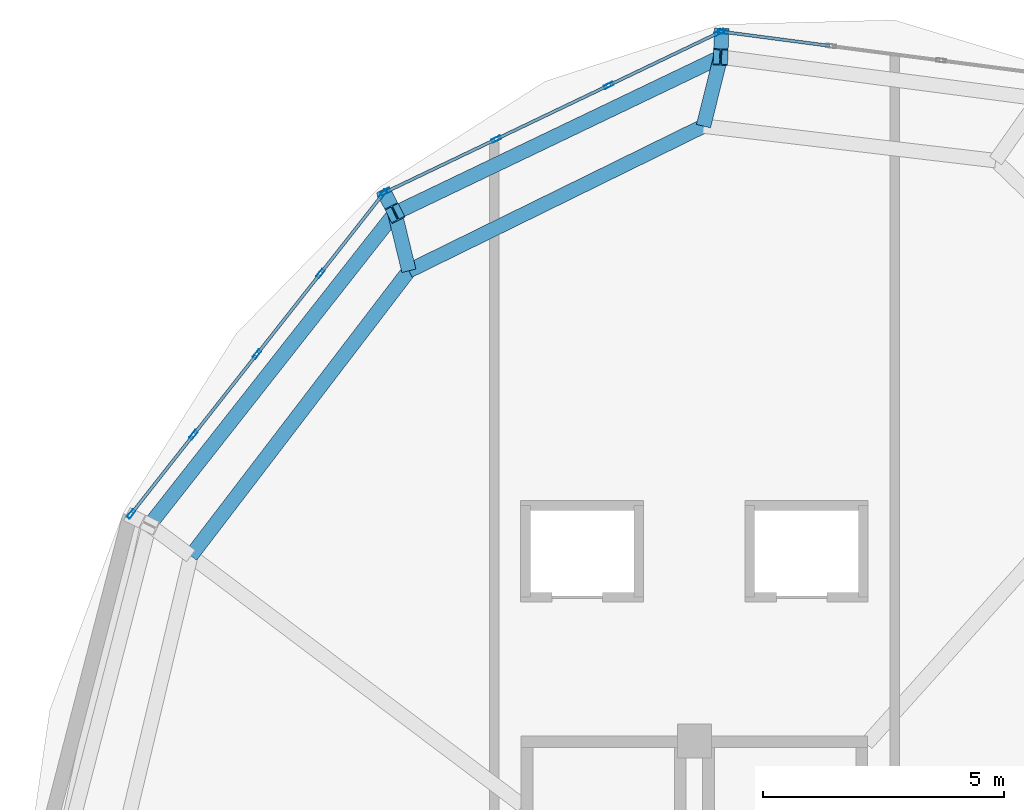
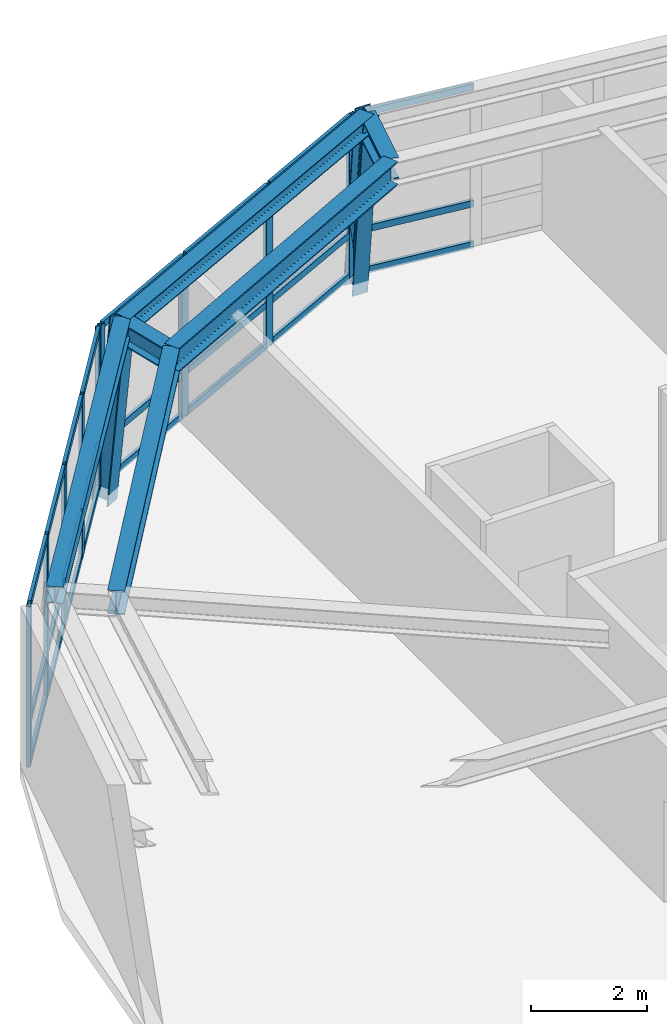
# One storey, part 6 of 11: 36 members, 6 beams, 3 elements without a shape of their own.
"""IFC4 building model written with IfcOpenShell, lengths in metres."""

from ifc_helpers import new_model, si_unit, direction, frame, origin, origin_2d, place, context, subcontext, project, spatial, hollow_rectangle, i_section, extrude, material, layer, layer_set, material_profile, profile_set, type_object, element, aggregate, save


model = new_model("IFC4")

# Units and contexts
model_context = context("Model", 3, precision=1e-05, world=origin(), true_north=direction((0.0, 1.0)))
body_context = subcontext(model_context, "Body", "Model", "MODEL_VIEW")
ifc_project = project(units=[si_unit("LENGTHUNIT", "METRE"), si_unit("AREAUNIT", "SQUARE_METRE"), si_unit("VOLUMEUNIT", "CUBIC_METRE"), si_unit("PLANEANGLEUNIT", "RADIAN"), si_unit("MASSUNIT", "GRAM", prefix="KILO"), si_unit("THERMODYNAMICTEMPERATUREUNIT", "KELVIN"), si_unit("POWERUNIT", "WATT")], contexts=[model_context])

# Site, building, storey
site_placement = place(None, origin())
site = spatial("IfcSite", under=ifc_project, at=site_placement, CompositionType="ELEMENT")
building_placement = place(site_placement, origin())
building = spatial("IfcBuilding", under=site, at=building_placement, Name="Ocrelia Relay Tower", CompositionType="ELEMENT")
storey_placement = place(building_placement, frame((0.0, 0.0, 292.0)))
storey = spatial("IfcBuildingStorey", under=building, at=storey_placement, Name="L73", CompositionType="ELEMENT", Elevation=292.0)

# Beams
ifc_material_1 = material(Name="Steel S355", Category="steel")
ifc_material_profile_1 = material_profile(ifc_material_1, i_section(OverallWidth=0.300048828125, OverallDepth=0.35009765625, WebThickness=0.010009765625, FlangeThickness=0.017578125, FilletRadius=0.027099609375, at=origin_2d()), Name="HEA 360")
ifc_profile_set_1 = profile_set([ifc_material_profile_1], Name="Steel S355")
beam_type_1 = type_object("IfcBeamType", Name="BM-HEA360", PredefinedType="SPANDREL", material=ifc_profile_set_1)
beam_1_placement = place(storey_placement, frame((34.543212890625, 41.29052734375, 3.574951171875), z_axis=(-0.901811525777, -0.432129577762, 0.0), x_axis=(0.432129577762, -0.901811525777, 0.0)))
element("IfcBeam", 1, at=beam_1_placement, inside=storey, type_object=beam_type_1, Name="L73 Crown Faceted Ring Beam R02", PredefinedType="SPANDREL", context=body_context, shape_type="SweptSolid", body=[
    extrude(i_section(OverallWidth=0.300048828125, OverallDepth=0.35009765625, WebThickness=0.010009765625, FlangeThickness=0.017578125, FilletRadius=0.027099609375, at=origin_2d()), origin(), (0.0, 0.0, 1.0), 7.483154296875),
])
beam_2_placement = place(storey_placement, frame((27.794921875, 38.056884765625, 3.574951171875), z_axis=(-0.618332661084, -0.785916484263, 0.0), x_axis=(0.785916484263, -0.618332661084, 0.0)))
element("IfcBeam", 2, at=beam_2_placement, inside=storey, type_object=beam_type_1, Name="L73 Crown Faceted Ring Beam R03", PredefinedType="SPANDREL", context=body_context, shape_type="SweptSolid", body=[
    extrude(i_section(OverallWidth=0.300048828125, OverallDepth=0.35009765625, WebThickness=0.010009765625, FlangeThickness=0.017578125, FilletRadius=0.027099609375, at=origin_2d()), origin(), (0.0, 0.0, 1.0), 8.225341796875),
])
ifc_material_profile_2 = material_profile(ifc_material_1, i_section(OverallWidth=0.300048828125, OverallDepth=0.449951171875, WebThickness=0.013916015625, FlangeThickness=0.02587890625, FilletRadius=0.027099609375, at=origin_2d()), Name="HEB 450")
ifc_profile_set_2 = profile_set([ifc_material_profile_2], Name="Steel S355")
beam_type_2 = type_object("IfcBeamType", Name="BM-HEB450", PredefinedType="BEAM", material=ifc_profile_set_2)
beam_3_placement = place(storey_placement, frame((34.543212890625, 41.29052734375, 3.52490234375), z_axis=(-0.240937810839, -0.970540556241, 0.0), x_axis=(0.970540556241, -0.240937810839, 0.0)))
element("IfcBeam", 3, at=beam_3_placement, inside=storey, type_object=beam_type_2, Name="L73 Crown Step Radial Beam ST02", PredefinedType="BEAM", context=body_context, shape_type="SweptSolid", body=[
    extrude(i_section(OverallWidth=0.300048828125, OverallDepth=0.449951171875, WebThickness=0.013916015625, FlangeThickness=0.02587890625, FilletRadius=0.027099609375, at=origin_2d()), origin(), (0.0, 0.0, 1.0), 1.474365234375),
])
beam_4_placement = place(storey_placement, frame((27.794921875, 38.056884765625, 3.52490234375), z_axis=(0.235753504113, -0.97181288595, 0.0), x_axis=(0.97181288595, 0.235753504113, 0.0)))
element("IfcBeam", 4, at=beam_4_placement, inside=storey, type_object=beam_type_2, Name="L73 Crown Step Radial Beam ST03", PredefinedType="BEAM", context=body_context, shape_type="SweptSolid", body=[
    extrude(i_section(OverallWidth=0.300048828125, OverallDepth=0.449951171875, WebThickness=0.013916015625, FlangeThickness=0.02587890625, FilletRadius=0.027099609375, at=origin_2d()), origin(), (0.0, 0.0, 1.0), 1.229248046875),
])
ifc_material_profile_3 = material_profile(ifc_material_1, i_section(OverallWidth=0.300048828125, OverallDepth=0.5, WebThickness=0.014404296875, FlangeThickness=0.028076171875, FilletRadius=0.027099609375, at=origin_2d()), Name="HEB 500")
ifc_profile_set_3 = profile_set([ifc_material_profile_3], Name="Steel S355")
beam_type_3 = type_object("IfcBeamType", Name="BM-HEB500", PredefinedType="BEAM", material=ifc_profile_set_3)
beam_5_placement = place(storey_placement, frame((34.18798828125, 39.859619140625, 3.5), z_axis=(-0.897599940141, -0.440811011045, 0.0), x_axis=(0.440811011045, -0.897599940141, 0.0)))
element("IfcBeam", 5, at=beam_5_placement, inside=storey, type_object=beam_type_3, Name="L73 Crown Step Perimeter Ring Beam SR02", PredefinedType="BEAM", context=body_context, shape_type="SweptSolid", body=[
    extrude(i_section(OverallWidth=0.300048828125, OverallDepth=0.5, WebThickness=0.014404296875, FlangeThickness=0.028076171875, FilletRadius=0.027099609375, at=origin_2d()), origin(), (0.0, 0.0, 1.0), 6.799560546875),
])
beam_6_placement = place(storey_placement, frame((28.084716796875, 36.8623046875, 3.5), z_axis=(-0.607473256097, -0.794340130629, 0.0), x_axis=(0.794340130629, -0.607473256097, 0.0)))
element("IfcBeam", 6, at=beam_6_placement, inside=storey, type_object=beam_type_3, Name="L73 Crown Step Perimeter Ring Beam SR03", PredefinedType="BEAM", context=body_context, shape_type="SweptSolid", body=[
    extrude(i_section(OverallWidth=0.300048828125, OverallDepth=0.5, WebThickness=0.014404296875, FlangeThickness=0.028076171875, FilletRadius=0.027099609375, at=origin_2d()), origin(), (0.0, 0.0, 1.0), 7.43798828125),
])

# Curtain wall, member
ifc_material_2 = material(Name="Aluminium and solar-control low-E glass", Category="aluminium")
ifc_layer = layer(ifc_material_2, 0.179931640625, Name="Aluminium and solar-control low-E glass")
ifc_layer_set = layer_set([ifc_layer], Name="Aluminium and solar-control low-E glass")
curtain_wall_type = type_object("IfcCurtainWallType", Name="CW-SYS-CROWN-PT", PredefinedType="NOTDEFINED", material=ifc_layer_set)
curtain_wall_1_placement = place(storey_placement, origin())
curtain_wall_1 = element("IfcCurtainWall", 7, at=curtain_wall_1_placement, inside=storey, type_object=curtain_wall_type, Name="L73 Faceted Glass-Point Crown Curtain Wall 01", PredefinedType="NOTDEFINED")
ifc_material_3 = material(Name="Anodised bronze aluminium", Category="aluminium")
ifc_material_profile_4 = material_profile(ifc_material_3, hollow_rectangle(XDim=0.074951171875, YDim=0.199951171875, WallThickness=0.006103515625, at=origin_2d()), Name="CW-MUL-200x75")
ifc_profile_set_4 = profile_set([ifc_material_profile_4], Name="Anodised bronze aluminium")
member_type_1 = type_object("IfcMemberType", Name="CW-SYS-CROWN-PT-MUL", PredefinedType="MULLION", material=ifc_profile_set_4)
member_1_placement = place(storey_placement, frame((34.590087890625, 41.8125, 0.0), z_axis=(0.0, 0.0, 1.0), x_axis=(-0.13010788898, -0.991499842272, 0.0)))
member_1 = element("IfcMember", 8, at=member_1_placement, type_object=member_type_1, Name="CW-CR mullion 4", PredefinedType="MULLION", context=body_context, shape_type="SweptSolid", body=[
    extrude(hollow_rectangle(XDim=0.074951171875, YDim=0.199951171875, WallThickness=0.006103515625, at=origin_2d()), origin(), (0.0, 0.0, 1.0), 3.389892578125),
])

# Curtain wall, members
curtain_wall_2_placement = place(storey_placement, origin())
curtain_wall_2 = element("IfcCurtainWall", 9, at=curtain_wall_2_placement, inside=storey, type_object=curtain_wall_type, Name="L73 Faceted Glass-Point Crown Curtain Wall 02", PredefinedType="NOTDEFINED")
member_2_placement = place(storey_placement, frame((34.519287109375, 41.801025390625, 0.0), z_axis=(0.0, 0.0, 1.0), x_axis=(0.431476975166, -0.902123949301, 0.0)))
member_2 = element("IfcMember", 10, at=member_2_placement, type_object=member_type_1, Name="CW-CR mullion 1", PredefinedType="MULLION", context=body_context, shape_type="SweptSolid", body=[
    extrude(hollow_rectangle(XDim=0.074951171875, YDim=0.199951171875, WallThickness=0.006103515625, at=origin_2d()), origin(), (0.0, 0.0, 1.0), 3.389892578125),
])
member_3_placement = place(storey_placement, frame((32.224609375, 40.70361328125, 0.0), z_axis=(0.0, 0.0, 1.0), x_axis=(0.431476975166, -0.902123949301, 0.0)))
member_3 = element("IfcMember", 11, at=member_3_placement, type_object=member_type_1, Name="CW-CR mullion 2", PredefinedType="MULLION", context=body_context, shape_type="SweptSolid", body=[
    extrude(hollow_rectangle(XDim=0.074951171875, YDim=0.199951171875, WallThickness=0.006103515625, at=origin_2d()), origin(), (0.0, 0.0, 1.0), 3.389892578125),
])
member_4_placement = place(storey_placement, frame((29.896240234375, 39.590087890625, 0.0), z_axis=(0.0, 0.0, 1.0), x_axis=(0.431476975166, -0.902123949301, 0.0)))
member_4 = element("IfcMember", 12, at=member_4_placement, type_object=member_type_1, Name="CW-CR mullion 3", PredefinedType="MULLION", context=body_context, shape_type="SweptSolid", body=[
    extrude(hollow_rectangle(XDim=0.074951171875, YDim=0.199951171875, WallThickness=0.006103515625, at=origin_2d()), origin(), (0.0, 0.0, 1.0), 3.389892578125),
])
member_5_placement = place(storey_placement, frame((27.6015625, 38.492431640625, 0.0), z_axis=(0.0, 0.0, 1.0), x_axis=(0.431476975166, -0.902123949301, 0.0)))
member_5 = element("IfcMember", 13, at=member_5_placement, type_object=member_type_1, Name="CW-CR mullion 4", PredefinedType="MULLION", context=body_context, shape_type="SweptSolid", body=[
    extrude(hollow_rectangle(XDim=0.074951171875, YDim=0.199951171875, WallThickness=0.006103515625, at=origin_2d()), origin(), (0.0, 0.0, 1.0), 3.389892578125),
])

curtain_wall_3_placement = place(storey_placement, origin())
curtain_wall_3 = element("IfcCurtainWall", 14, at=curtain_wall_3_placement, inside=storey, type_object=curtain_wall_type, Name="L73 Faceted Glass-Point Crown Curtain Wall 03", PredefinedType="NOTDEFINED")
member_6_placement = place(storey_placement, frame((27.54443359375, 38.44677734375, 0.0), z_axis=(0.0, 0.0, 1.0), x_axis=(0.785742011469, -0.61855435607, 0.0)))
member_6 = element("IfcMember", 15, at=member_6_placement, type_object=member_type_1, Name="CW-CR mullion 1", PredefinedType="MULLION", context=body_context, shape_type="SweptSolid", body=[
    extrude(hollow_rectangle(XDim=0.074951171875, YDim=0.199951171875, WallThickness=0.006103515625, at=origin_2d()), origin(), (0.0, 0.0, 1.0), 3.389892578125),
])
member_7_placement = place(storey_placement, frame((26.252197265625, 36.805419921875, 0.0), z_axis=(0.0, 0.0, 1.0), x_axis=(0.785742011469, -0.61855435607, 0.0)))
member_7 = element("IfcMember", 16, at=member_7_placement, type_object=member_type_1, Name="CW-CR mullion 2", PredefinedType="MULLION", context=body_context, shape_type="SweptSolid", body=[
    extrude(hollow_rectangle(XDim=0.074951171875, YDim=0.199951171875, WallThickness=0.006103515625, at=origin_2d()), origin(), (0.0, 0.0, 1.0), 3.389892578125),
])
member_8_placement = place(storey_placement, frame((24.936767578125, 35.13427734375, 0.0), z_axis=(0.0, 0.0, 1.0), x_axis=(0.785742011469, -0.61855435607, 0.0)))
member_8 = element("IfcMember", 17, at=member_8_placement, type_object=member_type_1, Name="CW-CR mullion 3", PredefinedType="MULLION", context=body_context, shape_type="SweptSolid", body=[
    extrude(hollow_rectangle(XDim=0.074951171875, YDim=0.199951171875, WallThickness=0.006103515625, at=origin_2d()), origin(), (0.0, 0.0, 1.0), 3.389892578125),
])
member_9_placement = place(storey_placement, frame((23.621337890625, 33.46337890625, 0.0), z_axis=(0.0, 0.0, 1.0), x_axis=(0.785742011469, -0.61855435607, 0.0)))
member_9 = element("IfcMember", 18, at=member_9_placement, type_object=member_type_1, Name="CW-CR mullion 4", PredefinedType="MULLION", context=body_context, shape_type="SweptSolid", body=[
    extrude(hollow_rectangle(XDim=0.074951171875, YDim=0.199951171875, WallThickness=0.006103515625, at=origin_2d()), origin(), (0.0, 0.0, 1.0), 3.389892578125),
])
member_10_placement = place(storey_placement, frame((22.3291015625, 31.82177734375, 0.0), z_axis=(0.0, 0.0, 1.0), x_axis=(0.785742011469, -0.61855435607, 0.0)))
member_10 = element("IfcMember", 19, at=member_10_placement, type_object=member_type_1, Name="CW-CR mullion 5", PredefinedType="MULLION", context=body_context, shape_type="SweptSolid", body=[
    extrude(hollow_rectangle(XDim=0.074951171875, YDim=0.199951171875, WallThickness=0.006103515625, at=origin_2d()), origin(), (0.0, 0.0, 1.0), 3.389892578125),
])

# Member
ifc_material_profile_5 = material_profile(ifc_material_3, hollow_rectangle(XDim=0.06494140625, YDim=0.139892578125, WallThickness=0.0048828125, at=origin_2d()), Name="CW-TRN-140x65")
ifc_profile_set_5 = profile_set([ifc_material_profile_5], Name="Anodised bronze aluminium")
member_type_2 = type_object("IfcMemberType", Name="CW-SYS-CROWN-PT-TRN", PredefinedType="USERDEFINED", material=ifc_profile_set_5)
member_11_placement = place(storey_placement, frame((36.794921875, 41.523193359375, 0.032470703125), z_axis=(-0.991499849859, 0.130107831165, 0.0), x_axis=(-0.130107831165, -0.991499849859, 0.0)))
member_11 = element("IfcMember", 20, at=member_11_placement, type_object=member_type_2, Name="CW-CR transom 3.1", ObjectType="TRANSOM", PredefinedType="USERDEFINED", context=body_context, shape_type="SweptSolid", body=[
    extrude(hollow_rectangle(XDim=0.06494140625, YDim=0.139892578125, WallThickness=0.0048828125, at=origin_2d()), origin(), (0.0, 0.0, 1.0), 2.18603515625),
])

member_12_placement = place(storey_placement, frame((36.794921875, 41.523193359375, 0.89990234375), z_axis=(-0.991499849859, 0.130107831165, 0.0), x_axis=(-0.130107831165, -0.991499849859, 0.0)))
member_12 = element("IfcMember", 21, at=member_12_placement, type_object=member_type_2, Name="CW-CR transom 3.2", ObjectType="TRANSOM", PredefinedType="USERDEFINED", context=body_context, shape_type="SweptSolid", body=[
    extrude(hollow_rectangle(XDim=0.06494140625, YDim=0.139892578125, WallThickness=0.0048828125, at=origin_2d()), origin(), (0.0, 0.0, 1.0), 2.18603515625),
])

member_13_placement = place(storey_placement, frame((36.794921875, 41.523193359375, 3.357421875), z_axis=(-0.991499849859, 0.130107831165, 0.0), x_axis=(-0.130107831165, -0.991499849859, 0.0)))
member_13 = element("IfcMember", 22, at=member_13_placement, type_object=member_type_2, Name="CW-CR transom 3.3", ObjectType="TRANSOM", PredefinedType="USERDEFINED", context=body_context, shape_type="SweptSolid", body=[
    extrude(hollow_rectangle(XDim=0.06494140625, YDim=0.139892578125, WallThickness=0.0048828125, at=origin_2d()), origin(), (0.0, 0.0, 1.0), 2.18603515625),
])

aggregate(curtain_wall_1, [member_1, member_11, member_12, member_13])

member_14_placement = place(storey_placement, frame((34.4853515625, 41.784912109375, 0.032470703125), z_axis=(-0.902122506019, -0.431479992739, 0.0), x_axis=(0.431479992739, -0.902122506019, 0.0)))
member_14 = element("IfcMember", 23, at=member_14_placement, type_object=member_type_2, Name="CW-CR transom 1.1", ObjectType="TRANSOM", PredefinedType="USERDEFINED", context=body_context, shape_type="SweptSolid", body=[
    extrude(hollow_rectangle(XDim=0.06494140625, YDim=0.139892578125, WallThickness=0.0048828125, at=origin_2d()), origin(), (0.0, 0.0, 1.0), 2.46875),
])

member_15_placement = place(storey_placement, frame((34.4853515625, 41.784912109375, 0.89990234375), z_axis=(-0.902122506019, -0.431479992739, 0.0), x_axis=(0.431479992739, -0.902122506019, 0.0)))
member_15 = element("IfcMember", 24, at=member_15_placement, type_object=member_type_2, Name="CW-CR transom 1.2", ObjectType="TRANSOM", PredefinedType="USERDEFINED", context=body_context, shape_type="SweptSolid", body=[
    extrude(hollow_rectangle(XDim=0.06494140625, YDim=0.139892578125, WallThickness=0.0048828125, at=origin_2d()), origin(), (0.0, 0.0, 1.0), 2.46875),
])

member_16_placement = place(storey_placement, frame((34.4853515625, 41.784912109375, 3.357421875), z_axis=(-0.902122506019, -0.431479992739, 0.0), x_axis=(0.431479992739, -0.902122506019, 0.0)))
member_16 = element("IfcMember", 25, at=member_16_placement, type_object=member_type_2, Name="CW-CR transom 1.3", ObjectType="TRANSOM", PredefinedType="USERDEFINED", context=body_context, shape_type="SweptSolid", body=[
    extrude(hollow_rectangle(XDim=0.06494140625, YDim=0.139892578125, WallThickness=0.0048828125, at=origin_2d()), origin(), (0.0, 0.0, 1.0), 2.46875),
])

member_17_placement = place(storey_placement, frame((32.190673828125, 40.6875, 0.032470703125), z_axis=(-0.902122680617, -0.431479627695, 0.0), x_axis=(0.431479627695, -0.902122680617, 0.0)))
member_17 = element("IfcMember", 26, at=member_17_placement, type_object=member_type_2, Name="CW-CR transom 2.1", ObjectType="TRANSOM", PredefinedType="USERDEFINED", context=body_context, shape_type="SweptSolid", body=[
    extrude(hollow_rectangle(XDim=0.06494140625, YDim=0.139892578125, WallThickness=0.0048828125, at=origin_2d()), origin(), (0.0, 0.0, 1.0), 2.506103515625),
])

member_18_placement = place(storey_placement, frame((32.190673828125, 40.6875, 0.89990234375), z_axis=(-0.902122680617, -0.431479627695, 0.0), x_axis=(0.431479627695, -0.902122680617, 0.0)))
member_18 = element("IfcMember", 27, at=member_18_placement, type_object=member_type_2, Name="CW-CR transom 2.2", ObjectType="TRANSOM", PredefinedType="USERDEFINED", context=body_context, shape_type="SweptSolid", body=[
    extrude(hollow_rectangle(XDim=0.06494140625, YDim=0.139892578125, WallThickness=0.0048828125, at=origin_2d()), origin(), (0.0, 0.0, 1.0), 2.506103515625),
])

member_19_placement = place(storey_placement, frame((32.190673828125, 40.6875, 3.357421875), z_axis=(-0.902122680617, -0.431479627695, 0.0), x_axis=(0.431479627695, -0.902122680617, 0.0)))
member_19 = element("IfcMember", 28, at=member_19_placement, type_object=member_type_2, Name="CW-CR transom 2.3", ObjectType="TRANSOM", PredefinedType="USERDEFINED", context=body_context, shape_type="SweptSolid", body=[
    extrude(hollow_rectangle(XDim=0.06494140625, YDim=0.139892578125, WallThickness=0.0048828125, at=origin_2d()), origin(), (0.0, 0.0, 1.0), 2.506103515625),
])

member_20_placement = place(storey_placement, frame((29.8623046875, 39.57373046875, 0.032470703125), z_axis=(-0.902122506019, -0.431479992739, 0.0), x_axis=(0.431479992739, -0.902122506019, 0.0)))
member_20 = element("IfcMember", 29, at=member_20_placement, type_object=member_type_2, Name="CW-CR transom 3.1", ObjectType="TRANSOM", PredefinedType="USERDEFINED", context=body_context, shape_type="SweptSolid", body=[
    extrude(hollow_rectangle(XDim=0.06494140625, YDim=0.139892578125, WallThickness=0.0048828125, at=origin_2d()), origin(), (0.0, 0.0, 1.0), 2.46875),
])

member_21_placement = place(storey_placement, frame((29.8623046875, 39.57373046875, 0.89990234375), z_axis=(-0.902122506019, -0.431479992739, 0.0), x_axis=(0.431479992739, -0.902122506019, 0.0)))
member_21 = element("IfcMember", 30, at=member_21_placement, type_object=member_type_2, Name="CW-CR transom 3.2", ObjectType="TRANSOM", PredefinedType="USERDEFINED", context=body_context, shape_type="SweptSolid", body=[
    extrude(hollow_rectangle(XDim=0.06494140625, YDim=0.139892578125, WallThickness=0.0048828125, at=origin_2d()), origin(), (0.0, 0.0, 1.0), 2.46875),
])

member_22_placement = place(storey_placement, frame((29.8623046875, 39.57373046875, 3.357421875), z_axis=(-0.902122506019, -0.431479992739, 0.0), x_axis=(0.431479992739, -0.902122506019, 0.0)))
member_22 = element("IfcMember", 31, at=member_22_placement, type_object=member_type_2, Name="CW-CR transom 3.3", ObjectType="TRANSOM", PredefinedType="USERDEFINED", context=body_context, shape_type="SweptSolid", body=[
    extrude(hollow_rectangle(XDim=0.06494140625, YDim=0.139892578125, WallThickness=0.0048828125, at=origin_2d()), origin(), (0.0, 0.0, 1.0), 2.46875),
])

aggregate(curtain_wall_2, [member_2, member_3, member_4, member_5, member_14, member_15, member_16, member_17, member_18, member_19, member_20, member_21, member_22])

member_23_placement = place(storey_placement, frame((27.521240234375, 38.41748046875, 0.032470703125), z_axis=(-0.618511841129, -0.785775478354, 0.0), x_axis=(0.785775478354, -0.618511841129, 0.0)))
member_23 = element("IfcMember", 32, at=member_23_placement, type_object=member_type_2, Name="CW-CR transom 1.1", ObjectType="TRANSOM", PredefinedType="USERDEFINED", context=body_context, shape_type="SweptSolid", body=[
    extrude(hollow_rectangle(XDim=0.06494140625, YDim=0.139892578125, WallThickness=0.0048828125, at=origin_2d()), origin(), (0.0, 0.0, 1.0), 2.01416015625),
])

member_24_placement = place(storey_placement, frame((27.521240234375, 38.41748046875, 0.89990234375), z_axis=(-0.618511841129, -0.785775478354, 0.0), x_axis=(0.785775478354, -0.618511841129, 0.0)))
member_24 = element("IfcMember", 33, at=member_24_placement, type_object=member_type_2, Name="CW-CR transom 1.2", ObjectType="TRANSOM", PredefinedType="USERDEFINED", context=body_context, shape_type="SweptSolid", body=[
    extrude(hollow_rectangle(XDim=0.06494140625, YDim=0.139892578125, WallThickness=0.0048828125, at=origin_2d()), origin(), (0.0, 0.0, 1.0), 2.01416015625),
])

member_25_placement = place(storey_placement, frame((27.521240234375, 38.41748046875, 3.357421875), z_axis=(-0.618511841129, -0.785775478354, 0.0), x_axis=(0.785775478354, -0.618511841129, 0.0)))
member_25 = element("IfcMember", 34, at=member_25_placement, type_object=member_type_2, Name="CW-CR transom 1.3", ObjectType="TRANSOM", PredefinedType="USERDEFINED", context=body_context, shape_type="SweptSolid", body=[
    extrude(hollow_rectangle(XDim=0.06494140625, YDim=0.139892578125, WallThickness=0.0048828125, at=origin_2d()), origin(), (0.0, 0.0, 1.0), 2.01416015625),
])

member_26_placement = place(storey_placement, frame((26.22900390625, 36.77587890625, 0.032470703125), z_axis=(-0.618551790611, -0.785744031051, 0.0), x_axis=(0.785744031051, -0.618551790611, 0.0)))
member_26 = element("IfcMember", 35, at=member_26_placement, type_object=member_type_2, Name="CW-CR transom 2.1", ObjectType="TRANSOM", PredefinedType="USERDEFINED", context=body_context, shape_type="SweptSolid", body=[
    extrude(hollow_rectangle(XDim=0.06494140625, YDim=0.139892578125, WallThickness=0.0048828125, at=origin_2d()), origin(), (0.0, 0.0, 1.0), 2.0517578125),
])

member_27_placement = place(storey_placement, frame((26.22900390625, 36.77587890625, 0.89990234375), z_axis=(-0.618551790611, -0.785744031051, 0.0), x_axis=(0.785744031051, -0.618551790611, 0.0)))
member_27 = element("IfcMember", 36, at=member_27_placement, type_object=member_type_2, Name="CW-CR transom 2.2", ObjectType="TRANSOM", PredefinedType="USERDEFINED", context=body_context, shape_type="SweptSolid", body=[
    extrude(hollow_rectangle(XDim=0.06494140625, YDim=0.139892578125, WallThickness=0.0048828125, at=origin_2d()), origin(), (0.0, 0.0, 1.0), 2.0517578125),
])

member_28_placement = place(storey_placement, frame((26.22900390625, 36.77587890625, 3.357421875), z_axis=(-0.618551790611, -0.785744031051, 0.0), x_axis=(0.785744031051, -0.618551790611, 0.0)))
member_28 = element("IfcMember", 37, at=member_28_placement, type_object=member_type_2, Name="CW-CR transom 2.3", ObjectType="TRANSOM", PredefinedType="USERDEFINED", context=body_context, shape_type="SweptSolid", body=[
    extrude(hollow_rectangle(XDim=0.06494140625, YDim=0.139892578125, WallThickness=0.0048828125, at=origin_2d()), origin(), (0.0, 0.0, 1.0), 2.0517578125),
])

member_29_placement = place(storey_placement, frame((24.91357421875, 35.104736328125, 0.032470703125), z_axis=(-0.618551790611, -0.785744031051, 0.0), x_axis=(0.785744031051, -0.618551790611, 0.0)))
member_29 = element("IfcMember", 38, at=member_29_placement, type_object=member_type_2, Name="CW-CR transom 3.1", ObjectType="TRANSOM", PredefinedType="USERDEFINED", context=body_context, shape_type="SweptSolid", body=[
    extrude(hollow_rectangle(XDim=0.06494140625, YDim=0.139892578125, WallThickness=0.0048828125, at=origin_2d()), origin(), (0.0, 0.0, 1.0), 2.0517578125),
])

member_30_placement = place(storey_placement, frame((24.91357421875, 35.104736328125, 0.89990234375), z_axis=(-0.618551790611, -0.785744031051, 0.0), x_axis=(0.785744031051, -0.618551790611, 0.0)))
member_30 = element("IfcMember", 39, at=member_30_placement, type_object=member_type_2, Name="CW-CR transom 3.2", ObjectType="TRANSOM", PredefinedType="USERDEFINED", context=body_context, shape_type="SweptSolid", body=[
    extrude(hollow_rectangle(XDim=0.06494140625, YDim=0.139892578125, WallThickness=0.0048828125, at=origin_2d()), origin(), (0.0, 0.0, 1.0), 2.0517578125),
])

member_31_placement = place(storey_placement, frame((24.91357421875, 35.104736328125, 3.357421875), z_axis=(-0.618551790611, -0.785744031051, 0.0), x_axis=(0.785744031051, -0.618551790611, 0.0)))
member_31 = element("IfcMember", 40, at=member_31_placement, type_object=member_type_2, Name="CW-CR transom 3.3", ObjectType="TRANSOM", PredefinedType="USERDEFINED", context=body_context, shape_type="SweptSolid", body=[
    extrude(hollow_rectangle(XDim=0.06494140625, YDim=0.139892578125, WallThickness=0.0048828125, at=origin_2d()), origin(), (0.0, 0.0, 1.0), 2.0517578125),
])

member_32_placement = place(storey_placement, frame((23.59814453125, 33.433837890625, 0.032470703125), z_axis=(-0.618570752278, -0.785729103716, 0.0), x_axis=(0.785729103716, -0.618570752278, 0.0)))
member_32 = element("IfcMember", 41, at=member_32_placement, type_object=member_type_2, Name="CW-CR transom 4.1", ObjectType="TRANSOM", PredefinedType="USERDEFINED", context=body_context, shape_type="SweptSolid", body=[
    extrude(hollow_rectangle(XDim=0.06494140625, YDim=0.139892578125, WallThickness=0.0048828125, at=origin_2d()), origin(), (0.0, 0.0, 1.0), 2.01416015625),
])

member_33_placement = place(storey_placement, frame((23.59814453125, 33.433837890625, 0.89990234375), z_axis=(-0.618570752278, -0.785729103716, 0.0), x_axis=(0.785729103716, -0.618570752278, 0.0)))
member_33 = element("IfcMember", 42, at=member_33_placement, type_object=member_type_2, Name="CW-CR transom 4.2", ObjectType="TRANSOM", PredefinedType="USERDEFINED", context=body_context, shape_type="SweptSolid", body=[
    extrude(hollow_rectangle(XDim=0.06494140625, YDim=0.139892578125, WallThickness=0.0048828125, at=origin_2d()), origin(), (0.0, 0.0, 1.0), 2.01416015625),
])

member_34_placement = place(storey_placement, frame((23.59814453125, 33.433837890625, 3.357421875), z_axis=(-0.618570752278, -0.785729103716, 0.0), x_axis=(0.785729103716, -0.618570752278, 0.0)))
member_34 = element("IfcMember", 43, at=member_34_placement, type_object=member_type_2, Name="CW-CR transom 4.3", ObjectType="TRANSOM", PredefinedType="USERDEFINED", context=body_context, shape_type="SweptSolid", body=[
    extrude(hollow_rectangle(XDim=0.06494140625, YDim=0.139892578125, WallThickness=0.0048828125, at=origin_2d()), origin(), (0.0, 0.0, 1.0), 2.01416015625),
])

aggregate(curtain_wall_3, [member_6, member_7, member_8, member_9, member_10, member_23, member_24, member_25, member_26, member_27, member_28, member_29, member_30, member_31, member_32, member_33, member_34])

# Members
ifc_material_profile_6 = material_profile(ifc_material_1, i_section(OverallWidth=0.300048828125, OverallDepth=0.340087890625, WebThickness=0.011962890625, FlangeThickness=0.021484375, FilletRadius=0.027099609375, at=origin_2d()), Name="HEB 340")
ifc_profile_set_6 = profile_set([ifc_material_profile_6], Name="Steel S355")
member_type_3 = type_object("IfcMemberType", Name="MB-CROWN-RIB", PredefinedType="STRUT", material=ifc_profile_set_6)
member_35_placement = place(storey_placement, frame((34.559326171875, 41.717529296875, -0.25), z_axis=(-0.004005529808, -0.106146539905, 0.994342429849), x_axis=(0.999288762357, -0.0377090099, 0.0)))
element("IfcMember", 44, at=member_35_placement, inside=storey, type_object=member_type_3, Name="L73 Crown Faceted Structural Strut Rib CR02", PredefinedType="STRUT", context=body_context, shape_type="SweptSolid", body=[
    extrude(i_section(OverallWidth=0.300048828125, OverallDepth=0.340087890625, WebThickness=0.011962890625, FlangeThickness=0.021484375, FilletRadius=0.027099609375, at=origin_2d()), origin(), (0.0, 0.0, 1.0), 4.022705078125),
])
member_36_placement = place(storey_placement, frame((27.623046875, 38.39306640625, -0.25), z_axis=(0.042778595175, -0.083673473801, 0.995574578611), x_axis=(0.890382268965, 0.455213592848, 0.0)))
element("IfcMember", 45, at=member_36_placement, inside=storey, type_object=member_type_3, Name="L73 Crown Faceted Structural Strut Rib CR03", PredefinedType="STRUT", context=body_context, shape_type="SweptSolid", body=[
    extrude(i_section(OverallWidth=0.300048828125, OverallDepth=0.340087890625, WebThickness=0.011962890625, FlangeThickness=0.021484375, FilletRadius=0.027099609375, at=origin_2d()), origin(), (0.0, 0.0, 1.0), 4.017822265625),
])

save(model, "model.ifc")
